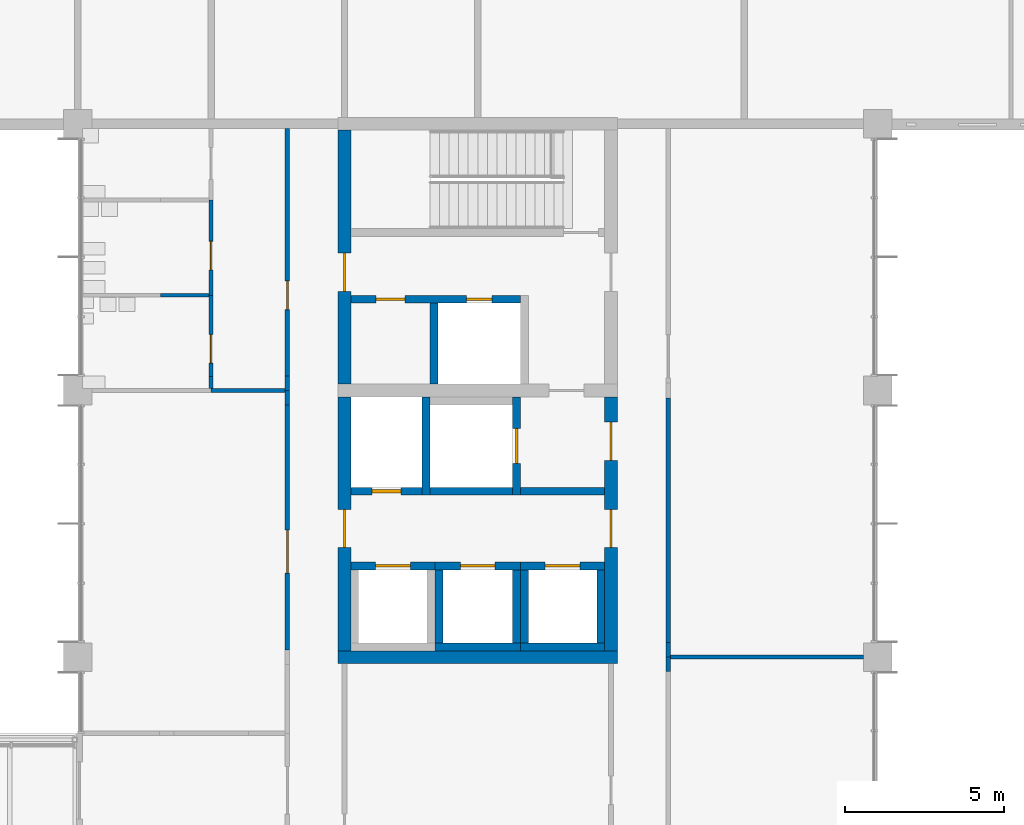
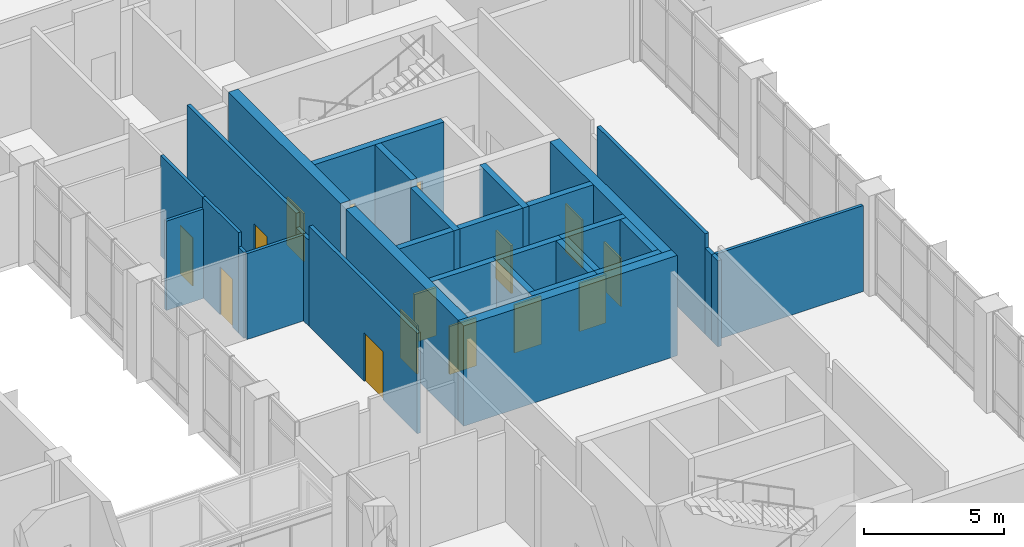
# One storey, part 42 of 70: 33 walls, 15 doors, 15 openings.
"""IFC4 building model written with IfcOpenShell, lengths in metres."""

from ifc_helpers import new_model, si_unit, direction, frame, frame_2d, origin, place, context, subcontext, project, spatial, rectangle, extrude, material, layer, layer_set, type_object, element, fill, save


model = new_model("IFC4")

# Units and contexts
model_context = context("Model", 3, precision=1e-05, world=origin(), true_north=direction((0.0, 1.0)))
body_context = subcontext(model_context, "Body", "Model", "MODEL_VIEW")
ifc_project = project(units=[si_unit("LENGTHUNIT", "METRE"), si_unit("AREAUNIT", "SQUARE_METRE"), si_unit("VOLUMEUNIT", "CUBIC_METRE"), si_unit("PLANEANGLEUNIT", "RADIAN"), si_unit("MASSUNIT", "GRAM", prefix="KILO")], contexts=[model_context])

# Site, building, storey
site_placement = place(None, origin())
site = spatial("IfcSite", under=ifc_project, at=site_placement, CompositionType="ELEMENT")
building_placement = place(site_placement, origin())
building = spatial("IfcBuilding", under=site, at=building_placement, Name="Hlaing Beacon Police Headquarters", CompositionType="ELEMENT")
storey_placement = place(building_placement, frame((0.0, 0.0, 5.39990234375)))
storey = spatial("IfcBuildingStorey", under=building, at=storey_placement, Name="L01", CompositionType="ELEMENT", Elevation=5.39990234375)

# Wall
ifc_material_1 = material(Name="Concrete C60/75", Category="concrete")
ifc_layer_1 = layer(ifc_material_1, 0.39990234375)
ifc_layer_set_1 = layer_set([ifc_layer_1], Name="Concrete C60/75")
wall_type_1 = type_object("IfcWallType", Name="Core shear wall 400", PredefinedType="SHEAR", material=ifc_layer_set_1)
wall_1_placement = place(storey_placement, frame((109.0, 50.39990234375, 0.0), z_axis=(0.0, 0.0, 1.0), x_axis=(1.0, 0.0, 0.0)))
element("IfcWall", 1, at=wall_1_placement, inside=storey, type_object=wall_type_1, Name="Core shear wall", PredefinedType="SHEAR", context=body_context, shape_type="SweptSolid", body=[
    extrude(rectangle(XDim=8.800048828125, YDim=0.39990234375, at=frame_2d((4.39990234375, 0.0))), origin(), (0.0, 0.0, 1.0), 4.3701171875),
])

# Wall, opening, door
wall_2_placement = place(storey_placement, frame((109.199951171875, 50.60009765625, 0.0), z_axis=(0.0, 0.0, 1.0), x_axis=(0.0, 1.0, 0.0)))
wall_2 = element("IfcWall", 2, at=wall_2_placement, inside=storey, type_object=wall_type_1, Name="Core shear wall", PredefinedType="SHEAR", context=body_context, shape_type="SweptSolid", body=[
    extrude(rectangle(XDim=8.0, YDim=0.39990234375, at=frame_2d((4.0, 0.0))), origin(), (0.0, 0.0, 1.0), 4.3701171875),
])
opening_1_placement = place(wall_2_placement, frame((3.25, 0.0, 0.0)))
opening_1 = element("IfcOpeningElement", 3, at=opening_1_placement, cuts=wall_2, Name="Opening L01-935", PredefinedType="OPENING", context=body_context, shape_type="SweptSolid", body=[
    extrude(rectangle(XDim=1.199951171875, YDim=2.10009765625, at=frame_2d((0.60009765625, 1.050048828125))), frame((0.0, 0.2099609375, 0.0), z_axis=(0.0, -1.0, 0.0), x_axis=(1.0, 0.0, 0.0)), (0.0, 0.0, 1.0), 0.419921875),
])
ifc_material_2 = material(Name="Steel fire door leaf", Category="steel")
ifc_layer_2 = layer(ifc_material_2, 0.070068359375)
ifc_layer_set_2 = layer_set([ifc_layer_2], Name="Steel fire door leaf")
door_type_1 = type_object("IfcDoorType", Name="Steel fire door FD60S 1200x2100", OperationType="SINGLE_SWING_LEFT", PredefinedType="DOOR", material=ifc_layer_set_2)
door_1_placement = place(opening_1_placement, frame((1.199951171875, 0.0, 0.0), z_axis=(0.0, 0.0, 1.0), x_axis=(-1.0, 0.0, 0.0)))
door_1 = element("IfcDoor", 4, at=door_1_placement, inside=storey, type_object=door_type_1, Name="Door Lift Lobby Entry", OperationType="SINGLE_SWING_LEFT", OverallHeight=2.10009765625, OverallWidth=1.199951171875, PredefinedType="DOOR", context=body_context, shape_type="SweptSolid", body=[
    extrude(rectangle(XDim=1.199951171875, YDim=2.10009765625, at=frame_2d((0.599853515625, 1.050048828125))), frame((0.0, 0.034912109375, 0.0), z_axis=(0.0, -1.0, 0.0), x_axis=(1.0, 0.0, 0.0)), (0.0, 0.0, 1.0), 0.070068359375),
])
fill(opening_1, door_1)

# Wall, openings, doors
wall_3_placement = place(storey_placement, frame((117.60009765625, 50.60009765625, 0.0), z_axis=(0.0, 0.0, 1.0), x_axis=(0.0, 1.0, 0.0)))
wall_3 = element("IfcWall", 5, at=wall_3_placement, inside=storey, type_object=wall_type_1, Name="Core shear wall", PredefinedType="SHEAR", context=body_context, shape_type="SweptSolid", body=[
    extrude(rectangle(XDim=8.0, YDim=0.39990234375, at=frame_2d((4.0, 0.0))), origin(), (0.0, 0.0, 1.0), 4.3701171875),
])
opening_2_placement = place(wall_3_placement, frame((3.25, 0.0, 0.0)))
opening_2 = element("IfcOpeningElement", 6, at=opening_2_placement, cuts=wall_3, Name="Opening L01-936", PredefinedType="OPENING", context=body_context, shape_type="SweptSolid", body=[
    extrude(rectangle(XDim=1.199951171875, YDim=2.10009765625, at=frame_2d((0.60009765625, 1.050048828125))), frame((0.0, 0.2099609375, 0.0), z_axis=(0.0, -1.0, 0.0), x_axis=(1.0, 0.0, 0.0)), (0.0, 0.0, 1.0), 0.419921875),
])
opening_3_placement = place(wall_3_placement, frame((6.0, 0.0, 0.0)))
opening_3 = element("IfcOpeningElement", 7, at=opening_3_placement, cuts=wall_3, Name="Opening L01-937", PredefinedType="OPENING", context=body_context, shape_type="SweptSolid", body=[
    extrude(rectangle(XDim=1.199951171875, YDim=2.10009765625, at=frame_2d((0.60009765625, 1.050048828125))), frame((0.0, 0.2099609375, 0.0), z_axis=(0.0, -1.0, 0.0), x_axis=(1.0, 0.0, 0.0)), (0.0, 0.0, 1.0), 0.419921875),
])
door_2_placement = place(opening_2_placement, origin())
door_2 = element("IfcDoor", 8, at=door_2_placement, inside=storey, type_object=door_type_1, Name="Door Lift Lobby Entry", OperationType="SINGLE_SWING_RIGHT", OverallHeight=2.10009765625, OverallWidth=1.199951171875, PredefinedType="DOOR", context=body_context, shape_type="SweptSolid", body=[
    extrude(rectangle(XDim=1.199951171875, YDim=2.10009765625, at=frame_2d((0.60009765625, 1.050048828125))), frame((0.0, 0.03515625, 0.0), z_axis=(0.0, -1.0, 0.0), x_axis=(1.0, 0.0, 0.0)), (0.0, 0.0, 1.0), 0.070068359375),
])
fill(opening_2, door_2)
door_3_placement = place(opening_3_placement, origin())
door_3 = element("IfcDoor", 9, at=door_3_placement, inside=storey, type_object=door_type_1, Name="Door Firefighting Lobby Entry", OperationType="SINGLE_SWING_LEFT", OverallHeight=2.10009765625, OverallWidth=1.199951171875, PredefinedType="DOOR", context=body_context, shape_type="SweptSolid", body=[
    extrude(rectangle(XDim=1.199951171875, YDim=2.10009765625, at=frame_2d((0.60009765625, 1.050048828125))), frame((0.0, 0.03515625, 0.0), z_axis=(0.0, -1.0, 0.0), x_axis=(1.0, 0.0, 0.0)), (0.0, 0.0, 1.0), 0.070068359375),
])
fill(opening_3, door_3)

# Wall, opening, door
wall_4_placement = place(storey_placement, frame((109.199951171875, 59.0, 0.0), z_axis=(0.0, 0.0, 1.0), x_axis=(0.0, 1.0, 0.0)))
wall_4 = element("IfcWall", 10, at=wall_4_placement, inside=storey, type_object=wall_type_1, Name="Core shear wall", PredefinedType="SHEAR", context=body_context, shape_type="SweptSolid", body=[
    extrude(rectangle(XDim=8.0, YDim=0.39990234375, at=frame_2d((4.0, 0.0))), origin(), (0.0, 0.0, 1.0), 4.3701171875),
])
opening_4_placement = place(wall_4_placement, frame((2.925048828125, 0.0, 0.0)))
opening_4 = element("IfcOpeningElement", 11, at=opening_4_placement, cuts=wall_4, Name="Opening L01-941", PredefinedType="OPENING", context=body_context, shape_type="SweptSolid", body=[
    extrude(rectangle(XDim=1.199951171875, YDim=2.10009765625, at=frame_2d((0.60009765625, 1.050048828125))), frame((0.0, 0.2099609375, 0.0), z_axis=(0.0, -1.0, 0.0), x_axis=(1.0, 0.0, 0.0)), (0.0, 0.0, 1.0), 0.419921875),
])
door_4_placement = place(opening_4_placement, frame((1.199951171875, 0.0, 0.0), z_axis=(0.0, 0.0, 1.0), x_axis=(-1.0, 0.0, 0.0)))
door_4 = element("IfcDoor", 12, at=door_4_placement, inside=storey, type_object=door_type_1, Name="Door Stair Lobby ST-M Entry", OperationType="SINGLE_SWING_LEFT", OverallHeight=2.10009765625, OverallWidth=1.199951171875, PredefinedType="DOOR", context=body_context, shape_type="SweptSolid", body=[
    extrude(rectangle(XDim=1.199951171875, YDim=2.10009765625, at=frame_2d((0.599853515625, 1.050048828125))), frame((0.0, 0.034912109375, 0.0), z_axis=(0.0, -1.0, 0.0), x_axis=(1.0, 0.0, 0.0)), (0.0, 0.0, 1.0), 0.070068359375),
])
fill(opening_4, door_4)

# Walls
ifc_material_3 = material(Name="Gypsum board partition")
ifc_layer_3 = layer(ifc_material_3, 0.14990234375)
ifc_layer_set_3 = layer_set([ifc_layer_3], Name="Gypsum board partition")
wall_type_2 = type_object("IfcWallType", Name="Corridor wall EI 30 150", PredefinedType="PARTITIONING", material=ifc_layer_set_3)
wall_5_placement = place(storey_placement, frame((119.39990234375, 49.93994140625, 0.0), z_axis=(0.0, 0.0, 1.0), x_axis=(0.0, 1.0, 0.0)))
element("IfcWall", 13, at=wall_5_placement, inside=storey, type_object=wall_type_2, Name="Corridor wall EI 30 150", PredefinedType="PARTITIONING", context=body_context, shape_type="SweptSolid", body=[
    extrude(rectangle(XDim=0.4599609375, YDim=0.14990234375, at=frame_2d((0.22998046875, 0.0))), origin(), (0.0, 0.0, 1.0), 3.74609375),
])
wall_6_placement = place(storey_placement, frame((119.39990234375, 50.39990234375, 0.0), z_axis=(0.0, 0.0, 1.0), x_axis=(0.0, 1.0, 0.0)))
element("IfcWall", 14, at=wall_6_placement, inside=storey, type_object=wall_type_2, Name="Corridor wall EI 30 150", PredefinedType="PARTITIONING", context=body_context, shape_type="SweptSolid", body=[
    extrude(rectangle(XDim=0.460205078125, YDim=0.14990234375, at=frame_2d((0.22998046875, 0.0))), origin(), (0.0, 0.0, 1.0), 3.74609375),
])
wall_7_placement = place(storey_placement, frame((119.39990234375, 50.860107421875, 0.0), z_axis=(0.0, 0.0, 1.0), x_axis=(0.0, 1.0, 0.0)))
element("IfcWall", 15, at=wall_7_placement, inside=storey, type_object=wall_type_2, Name="Corridor wall EI 30 150", PredefinedType="PARTITIONING", context=body_context, shape_type="SweptSolid", body=[
    extrude(rectangle(XDim=7.7099609375, YDim=0.14990234375, at=frame_2d((3.85498046875, 0.0))), origin(), (0.0, 0.0, 1.0), 4.3701171875),
])

# Wall, opening, door
wall_8_placement = place(storey_placement, frame((107.39990234375, 50.6298828125, 0.0), z_axis=(0.0, 0.0, 1.0), x_axis=(0.0, 1.0, 0.0)))
wall_8 = element("IfcWall", 16, at=wall_8_placement, inside=storey, type_object=wall_type_2, Name="Corridor wall EI 30 150", PredefinedType="PARTITIONING", context=body_context, shape_type="SweptSolid", body=[
    extrude(rectangle(XDim=7.710205078125, YDim=0.14990234375, at=frame_2d((3.85498046875, 0.0))), origin(), (0.0, 0.0, 1.0), 4.3701171875),
])
opening_5_placement = place(wall_8_placement, frame((2.419921875, 0.0, 0.0)))
opening_5 = element("IfcOpeningElement", 17, at=opening_5_placement, cuts=wall_8, Name="Opening L01-053", PredefinedType="OPENING", context=body_context, shape_type="SweptSolid", body=[
    extrude(rectangle(XDim=1.35009765625, YDim=2.10009765625, at=frame_2d((0.675048828125, 1.050048828125))), frame((0.0, 0.0849609375, 0.0), z_axis=(0.0, -1.0, 0.0), x_axis=(1.0, 0.0, 0.0)), (0.0, 0.0, 1.0), 0.169921875),
])
ifc_material_4 = material(Name="Hardwood door leaf", Category="wood")
ifc_layer_4 = layer(ifc_material_4, 0.050048828125)
ifc_layer_set_4 = layer_set([ifc_layer_4], Name="Hardwood door leaf")
door_type_2 = type_object("IfcDoorType", Name="Fire leaf-and-a-half door FD30S 1350x2100", OperationType="DOUBLE_DOOR_SINGLE_SWING", PredefinedType="DOOR", material=ifc_layer_set_4)
door_5_placement = place(opening_5_placement, origin())
door_5 = element("IfcDoor", 18, at=door_5_placement, inside=storey, type_object=door_type_2, Name="Door Patrol Operations Room Annex", OperationType="DOUBLE_DOOR_SINGLE_SWING", OverallHeight=2.10009765625, OverallWidth=1.35009765625, PredefinedType="DOOR", context=body_context, shape_type="SweptSolid", body=[
    extrude(rectangle(XDim=1.35009765625, YDim=2.10009765625, at=frame_2d((0.675048828125, 1.050048828125))), frame((0.0, 0.02490234375, 0.0), z_axis=(0.0, -1.0, 0.0), x_axis=(1.0, 0.0, 0.0)), (0.0, 0.0, 1.0), 0.050048828125),
])
fill(opening_5, door_5)

# Walls
for number, where, z_axis, x_axis, name in (
    (19, (107.39990234375, 58.340087890625, 0.0), (0.0, 0.0, 1.0), (0.0, 1.0, 0.0), "Corridor wall EI 30 150"),
    (20, (107.39990234375, 58.800048828125, 0.0), (0.0, 0.0, 1.0), (0.0, 1.0, 0.0), "Corridor wall EI 30 150"),
):
    element("IfcWall", number, at=place(storey_placement, frame(where, z_axis=z_axis, x_axis=x_axis)), inside=storey, type_object=wall_type_2, Name=name, PredefinedType="PARTITIONING", context=body_context, shape_type="SweptSolid", body=[
        extrude(rectangle(XDim=0.4599609375, YDim=0.14990234375, at=frame_2d((0.22998046875, 0.0))), origin(), (0.0, 0.0, 1.0), 3.74609375),
    ])

# Wall, opening, door
wall_9_placement = place(storey_placement, frame((107.39990234375, 59.260009765625, 0.0), z_axis=(0.0, 0.0, 1.0), x_axis=(0.0, 1.0, 0.0)))
wall_9 = element("IfcWall", 21, at=wall_9_placement, inside=storey, type_object=wall_type_2, Name="Corridor wall EI 30 150", PredefinedType="PARTITIONING", context=body_context, shape_type="SweptSolid", body=[
    extrude(rectangle(XDim=7.7900390625, YDim=0.14990234375, at=frame_2d((3.89501953125, 0.0))), origin(), (0.0, 0.0, 1.0), 4.3701171875),
])
opening_6_placement = place(wall_9_placement, frame((2.090087890625, 0.0, 0.0)))
opening_6 = element("IfcOpeningElement", 22, at=opening_6_placement, cuts=wall_9, Name="Opening L01-056", PredefinedType="OPENING", context=body_context, shape_type="SweptSolid", body=[
    extrude(rectangle(XDim=0.89990234375, YDim=2.10009765625, at=frame_2d((0.449951171875, 1.050048828125))), frame((0.0, 0.0849609375, 0.0), z_axis=(0.0, -1.0, 0.0), x_axis=(1.0, 0.0, 0.0)), (0.0, 0.0, 1.0), 0.169921875),
])
ifc_material_5 = material(Name="Hardwood door leaf", Category="wood")
ifc_layer_5 = layer(ifc_material_5, 0.050048828125)
ifc_layer_set_5 = layer_set([ifc_layer_5], Name="Hardwood door leaf")
door_type_3 = type_object("IfcDoorType", Name="Fire door FD30S 900x2100", OperationType="SINGLE_SWING_LEFT", PredefinedType="DOOR", material=ifc_layer_set_5)
door_6_placement = place(opening_6_placement, origin())
door_6 = element("IfcDoor", 23, at=door_6_placement, inside=storey, type_object=door_type_3, Name="Door WC Lobby", OperationType="SINGLE_SWING_RIGHT", OverallHeight=2.10009765625, OverallWidth=0.89990234375, PredefinedType="DOOR", context=body_context, shape_type="SweptSolid", body=[
    extrude(rectangle(XDim=0.89990234375, YDim=2.10009765625, at=frame_2d((0.449951171875, 1.050048828125))), frame((0.0, 0.02490234375, 0.0), z_axis=(0.0, -1.0, 0.0), x_axis=(1.0, 0.0, 0.0)), (0.0, 0.0, 1.0), 0.050048828125),
])
fill(opening_6, door_6)

# Walls
ifc_material_6 = material(Name="Gypsum board partition")
ifc_layer_6 = layer(ifc_material_6, 0.125)
ifc_layer_set_6 = layer_set([ifc_layer_6], Name="Gypsum board partition")
wall_type_3 = type_object("IfcWallType", Name="Partition 125", PredefinedType="PARTITIONING", material=ifc_layer_set_6)
wall_10_placement = place(storey_placement, frame((119.47509765625, 50.39990234375, 0.0), z_axis=(0.0, 0.0, 1.0), x_axis=(1.0, 0.0, 0.0)))
element("IfcWall", 24, at=wall_10_placement, inside=storey, type_object=wall_type_3, Name="Partition 125", PredefinedType="PARTITIONING", context=body_context, shape_type="SweptSolid", body=[
    extrude(rectangle(XDim=6.074951171875, YDim=0.125, at=frame_2d((3.03759765625, 0.0))), origin(), (0.0, 0.0, 1.0), 3.74609375),
])
wall_11_placement = place(storey_placement, frame((105.0, 58.800048828125, 0.0), z_axis=(0.0, 0.0, 1.0), x_axis=(1.0, 0.0, 0.0)))
element("IfcWall", 25, at=wall_11_placement, inside=storey, type_object=wall_type_3, Name="Partition 125", PredefinedType="PARTITIONING", context=body_context, shape_type="SweptSolid", body=[
    extrude(rectangle(XDim=2.324951171875, YDim=0.125, at=frame_2d((1.16259765625, 0.0))), origin(), (0.0, 0.0, 1.0), 3.74609375),
])

# Wall, opening, door
wall_12_placement = place(storey_placement, frame((105.0, 61.800048828125, 0.0), z_axis=(0.0, 0.0, 1.0), x_axis=(0.0, 1.0, 0.0)))
wall_12 = element("IfcWall", 26, at=wall_12_placement, inside=storey, type_object=wall_type_3, Name="Partition 125", PredefinedType="PARTITIONING", context=body_context, shape_type="SweptSolid", body=[
    extrude(rectangle(XDim=3.0, YDim=0.125, at=frame_2d((1.5, 0.0))), origin(), (0.0, 0.0, 1.0), 4.3701171875),
])
opening_7_placement = place(wall_12_placement, frame((0.800048828125, 0.0, 0.0)))
opening_7 = element("IfcOpeningElement", 27, at=opening_7_placement, cuts=wall_12, Name="Opening L01-055", PredefinedType="OPENING", context=body_context, shape_type="SweptSolid", body=[
    extrude(rectangle(XDim=0.89990234375, YDim=2.10009765625, at=frame_2d((0.449951171875, 1.050048828125))), frame((0.0, 0.072509765625, 0.0), z_axis=(0.0, -1.0, 0.0), x_axis=(1.0, 0.0, 0.0)), (0.0, 0.0, 1.0), 0.14501953125),
])
ifc_material_7 = material(Name="Hardwood door leaf", Category="wood")
ifc_layer_7 = layer(ifc_material_7, 0.0400390625)
ifc_layer_set_7 = layer_set([ifc_layer_7], Name="Hardwood door leaf")
door_type_4 = type_object("IfcDoorType", Name="Door 900x2100", OperationType="SINGLE_SWING_LEFT", PredefinedType="DOOR", material=ifc_layer_set_7)
door_7_placement = place(opening_7_placement, origin())
door_7 = element("IfcDoor", 28, at=door_7_placement, inside=storey, type_object=door_type_4, Name="Door Female WC", OperationType="SINGLE_SWING_RIGHT", OverallHeight=2.10009765625, OverallWidth=0.89990234375, PredefinedType="DOOR", context=body_context, shape_type="SweptSolid", body=[
    extrude(rectangle(XDim=0.89990234375, YDim=2.10009765625, at=frame_2d((0.449951171875, 1.050048828125))), frame((0.0, 0.02001953125, 0.0), z_axis=(0.0, -1.0, 0.0), x_axis=(1.0, 0.0, 0.0)), (0.0, 0.0, 1.0), 0.0400390625),
])
fill(opening_7, door_7)

# Walls
wall_13_placement = place(storey_placement, frame((103.406982421875, 61.800048828125, 0.0), z_axis=(0.0, 0.0, 1.0), x_axis=(1.0, 0.0, 0.0)))
element("IfcWall", 29, at=wall_13_placement, inside=storey, type_object=wall_type_3, Name="Partition 125", PredefinedType="PARTITIONING", context=body_context, shape_type="SweptSolid", body=[
    extrude(rectangle(XDim=1.531005859375, YDim=0.125, at=frame_2d((0.765625, 0.0))), origin(), (0.0, 0.0, 1.0), 3.89501953125),
])
wall_14_placement = place(storey_placement, frame((105.0, 58.862060546875, 0.0), z_axis=(0.0, 0.0, 1.0), x_axis=(0.0, 1.0, 0.0)))
element("IfcWall", 30, at=wall_14_placement, inside=storey, type_object=wall_type_3, Name="Partition 125", PredefinedType="PARTITIONING", context=body_context, shape_type="SweptSolid", body=[
    extrude(rectangle(XDim=0.385009765625, YDim=0.125, at=frame_2d((0.1923828125, 0.0))), origin(), (0.0, 0.0, 1.0), 3.74609375),
])

# Wall, opening, door
wall_15_placement = place(storey_placement, frame((105.0, 59.2470703125, 0.0), z_axis=(0.0, 0.0, 1.0), x_axis=(0.0, 1.0, 0.0)))
wall_15 = element("IfcWall", 31, at=wall_15_placement, inside=storey, type_object=wall_type_3, Name="Partition 125", PredefinedType="PARTITIONING", context=body_context, shape_type="SweptSolid", body=[
    extrude(rectangle(XDim=2.552978515625, YDim=0.125, at=frame_2d((1.2763671875, 0.0))), origin(), (0.0, 0.0, 1.0), 4.3701171875),
])
opening_8_placement = place(wall_15_placement, frame((0.4150390625, 0.0, 0.0)))
opening_8 = element("IfcOpeningElement", 32, at=opening_8_placement, cuts=wall_15, Name="Opening L01-057", PredefinedType="OPENING", context=body_context, shape_type="SweptSolid", body=[
    extrude(rectangle(XDim=0.89990234375, YDim=2.10009765625, at=frame_2d((0.449951171875, 1.050048828125))), frame((0.0, 0.072509765625, 0.0), z_axis=(0.0, -1.0, 0.0), x_axis=(1.0, 0.0, 0.0)), (0.0, 0.0, 1.0), 0.14501953125),
])
door_8_placement = place(opening_8_placement, origin())
door_8 = element("IfcDoor", 33, at=door_8_placement, inside=storey, type_object=door_type_4, Name="Door Male WC", OperationType="SINGLE_SWING_RIGHT", OverallHeight=2.10009765625, OverallWidth=0.89990234375, PredefinedType="DOOR", context=body_context, shape_type="SweptSolid", body=[
    extrude(rectangle(XDim=0.89990234375, YDim=2.10009765625, at=frame_2d((0.449951171875, 1.050048828125))), frame((0.0, 0.02001953125, 0.0), z_axis=(0.0, -1.0, 0.0), x_axis=(1.0, 0.0, 0.0)), (0.0, 0.0, 1.0), 0.0400390625),
])
fill(opening_8, door_8)

ifc_material_8 = material(Name="Concrete C40/50", Category="concrete")
ifc_layer_8 = layer(ifc_material_8, 0.25)
ifc_layer_set_8 = layer_set([ifc_layer_8], Name="Concrete C40/50")
wall_type_4 = type_object("IfcWallType", Name="Shaft wall 250", PredefinedType="SOLIDWALL", material=ifc_layer_set_8)
wall_16_placement = place(storey_placement, frame((109.39990234375, 55.625, 0.0), z_axis=(0.0, 0.0, 1.0), x_axis=(1.0, 0.0, 0.0)))
wall_16 = element("IfcWall", 34, at=wall_16_placement, inside=storey, type_object=wall_type_4, Name="Lobby wall", PredefinedType="SOLIDWALL", context=body_context, shape_type="SweptSolid", body=[
    extrude(rectangle(XDim=2.25, YDim=0.25, at=frame_2d((1.125, 0.0))), origin(), (0.0, 0.0, 1.0), 4.3701171875),
])
opening_9_placement = place(wall_16_placement, frame((0.675048828125, 0.0, 0.0)))
opening_9 = element("IfcOpeningElement", 35, at=opening_9_placement, cuts=wall_16, Name="Opening L01-939", PredefinedType="OPENING", context=body_context, shape_type="SweptSolid", body=[
    extrude(rectangle(XDim=0.89990234375, YDim=2.10009765625, at=frame_2d((0.449951171875, 1.050048828125))), frame((0.0, 0.135009765625, 0.0), z_axis=(0.0, -1.0, 0.0), x_axis=(1.0, 0.0, 0.0)), (0.0, 0.0, 1.0), 0.27001953125),
])
ifc_material_9 = material(Name="Steel fire door leaf", Category="steel")
ifc_layer_9 = layer(ifc_material_9, 0.10009765625)
ifc_layer_set_9 = layer_set([ifc_layer_9], Name="Steel fire door leaf")
door_type_5 = type_object("IfcDoorType", Name="Steel fire door FD120 900x2100", OperationType="SINGLE_SWING_LEFT", PredefinedType="DOOR", material=ifc_layer_set_9)
door_9_placement = place(opening_9_placement, origin())
door_9 = element("IfcDoor", 36, at=door_9_placement, inside=storey, type_object=door_type_5, Name="Door Electrical Riser Room", OperationType="SINGLE_SWING_LEFT", OverallHeight=2.10009765625, OverallWidth=0.89990234375, PredefinedType="DOOR", context=body_context, shape_type="SweptSolid", body=[
    extrude(rectangle(XDim=0.89990234375, YDim=2.10009765625, at=frame_2d((0.449951171875, 1.050048828125))), frame((0.0, 0.050048828125, 0.0), z_axis=(0.0, -1.0, 0.0), x_axis=(1.0, 0.0, 0.0)), (0.0, 0.0, 1.0), 0.10009765625),
])
fill(opening_9, door_9)

# Wall
wall_17_placement = place(storey_placement, frame((114.75, 55.625, 0.0), z_axis=(0.0, 0.0, 1.0), x_axis=(1.0, 0.0, 0.0)))
element("IfcWall", 37, at=wall_17_placement, inside=storey, type_object=wall_type_4, Name="Firefighting lobby wall", PredefinedType="SOLIDWALL", context=body_context, shape_type="SweptSolid", body=[
    extrude(rectangle(XDim=2.64990234375, YDim=0.25, at=frame_2d((1.324951171875, 0.0))), origin(), (0.0, 0.0, 1.0), 4.3701171875),
])

# Wall, openings, doors
wall_18_placement = place(storey_placement, frame((114.75, 61.675048828125, 0.0), z_axis=(0.0, 0.0, 1.0), x_axis=(-1.0, 0.0, 0.0)))
wall_18 = element("IfcWall", 38, at=wall_18_placement, inside=storey, type_object=wall_type_4, Name="Lobby wall", PredefinedType="SOLIDWALL", context=body_context, shape_type="SweptSolid", body=[
    extrude(rectangle(XDim=5.35009765625, YDim=0.25, at=frame_2d((2.675048828125, 0.0))), origin(), (0.0, 0.0, 1.0), 4.3701171875),
])
opening_10_placement = place(wall_18_placement, frame((3.64990234375, 0.0, 0.0)))
opening_10 = element("IfcOpeningElement", 39, at=opening_10_placement, cuts=wall_18, Name="Opening L01-940", PredefinedType="OPENING", context=body_context, shape_type="SweptSolid", body=[
    extrude(rectangle(XDim=0.89990234375, YDim=2.10009765625, at=frame_2d((0.449951171875, 1.050048828125))), frame((0.0, 0.135009765625, 0.0), z_axis=(0.0, -1.0, 0.0), x_axis=(1.0, 0.0, 0.0)), (0.0, 0.0, 1.0), 0.27001953125),
])
opening_11_placement = place(wall_18_placement, frame((0.89990234375, 0.0, 0.0)))
opening_11 = element("IfcOpeningElement", 40, at=opening_11_placement, cuts=wall_18, Name="Opening L01-943", PredefinedType="OPENING", context=body_context, shape_type="SweptSolid", body=[
    extrude(rectangle(XDim=0.800048828125, YDim=2.10009765625, at=frame_2d((0.39990234375, 1.050048828125))), frame((0.0, 0.135009765625, 0.0), z_axis=(0.0, -1.0, 0.0), x_axis=(1.0, 0.0, 0.0)), (0.0, 0.0, 1.0), 0.27001953125),
])
ifc_material_10 = material(Name="Steel fire door leaf", Category="steel")
ifc_layer_10 = layer(ifc_material_10, 0.070068359375)
ifc_layer_set_10 = layer_set([ifc_layer_10], Name="Steel fire door leaf")
door_type_6 = type_object("IfcDoorType", Name="Steel fire door FD60 800x2100", OperationType="SINGLE_SWING_LEFT", PredefinedType="DOOR", material=ifc_layer_set_10)
door_10_placement = place(opening_11_placement, origin())
door_10 = element("IfcDoor", 41, at=door_10_placement, inside=storey, type_object=door_type_6, Name="Door Services Riser", OperationType="SINGLE_SWING_RIGHT", OverallHeight=2.10009765625, OverallWidth=0.800048828125, PredefinedType="DOOR", context=body_context, shape_type="SweptSolid", body=[
    extrude(rectangle(XDim=0.800048828125, YDim=2.10009765625, at=frame_2d((0.39990234375, 1.050048828125))), frame((0.0, 0.03515625, 0.0), z_axis=(0.0, -1.0, 0.0), x_axis=(1.0, 0.0, 0.0)), (0.0, 0.0, 1.0), 0.070068359375),
])
fill(opening_11, door_10)
ifc_material_11 = material(Name="Steel fire door leaf", Category="steel")
ifc_layer_11 = layer(ifc_material_11, 0.070068359375)
ifc_layer_set_11 = layer_set([ifc_layer_11], Name="Steel fire door leaf")
door_type_7 = type_object("IfcDoorType", Name="Steel fire door FD60 900x2100", OperationType="SINGLE_SWING_LEFT", PredefinedType="DOOR", material=ifc_layer_set_11)
door_11_placement = place(opening_10_placement, origin())
door_11 = element("IfcDoor", 42, at=door_11_placement, inside=storey, type_object=door_type_7, Name="Door Cleaners' Store", OperationType="SINGLE_SWING_LEFT", OverallHeight=2.10009765625, OverallWidth=0.89990234375, PredefinedType="DOOR", context=body_context, shape_type="SweptSolid", body=[
    extrude(rectangle(XDim=0.89990234375, YDim=2.10009765625, at=frame_2d((0.449951171875, 1.050048828125))), frame((0.0, 0.03515625, 0.0), z_axis=(0.0, -1.0, 0.0), x_axis=(1.0, 0.0, 0.0)), (0.0, 0.0, 1.0), 0.070068359375),
])
fill(opening_10, door_11)

# Wall
wall_19_placement = place(storey_placement, frame((112.02490234375, 61.550048828125, 0.0), z_axis=(0.0, 0.0, 1.0), x_axis=(0.0, -1.0, 0.0)))
element("IfcWall", 43, at=wall_19_placement, inside=storey, type_object=wall_type_4, Name="Riser wall", PredefinedType="SOLIDWALL", context=body_context, shape_type="SweptSolid", body=[
    extrude(rectangle(XDim=2.550048828125, YDim=0.25, at=frame_2d((1.27490234375, 0.0))), origin(), (0.0, 0.0, 1.0), 4.3701171875),
])

# Wall, opening, door
wall_20_placement = place(storey_placement, frame((114.625, 55.5, 0.0), z_axis=(0.0, 0.0, 1.0), x_axis=(0.0, 1.0, 0.0)))
wall_20 = element("IfcWall", 44, at=wall_20_placement, inside=storey, type_object=wall_type_4, Name="Lift shaft wall FL1", PredefinedType="SOLIDWALL", context=body_context, shape_type="SweptSolid", body=[
    extrude(rectangle(XDim=3.10009765625, YDim=0.25, at=frame_2d((1.550048828125, 0.0))), origin(), (0.0, 0.0, 1.0), 4.3701171875),
])
opening_12_placement = place(wall_20_placement, frame((1.0, 0.0, 0.0)))
opening_12 = element("IfcOpeningElement", 45, at=opening_12_placement, cuts=wall_20, Name="Opening LD-FL1-L01", PredefinedType="OPENING", context=body_context, shape_type="SweptSolid", body=[
    extrude(rectangle(XDim=1.10009765625, YDim=2.10009765625, at=frame_2d((0.550048828125, 1.050048828125))), frame((0.0, 0.135009765625, 0.0), z_axis=(0.0, -1.0, 0.0), x_axis=(1.0, 0.0, 0.0)), (0.0, 0.0, 1.0), 0.27001953125),
])
ifc_material_12 = material(Name="Stainless steel lift landing door", Category="steel")
ifc_layer_12 = layer(ifc_material_12, 0.06005859375)
ifc_layer_set_12 = layer_set([ifc_layer_12], Name="Stainless steel lift landing door")
door_type_8 = type_object("IfcDoorType", Name="Lift landing door 1100x2100", OperationType="DOUBLE_DOOR_SLIDING", PredefinedType="DOOR", material=ifc_layer_set_12)
door_12_placement = place(opening_12_placement, origin())
door_12 = element("IfcDoor", 46, at=door_12_placement, inside=storey, type_object=door_type_8, Name="Landing door FL1 L01", OperationType="DOUBLE_DOOR_SLIDING", OverallHeight=2.10009765625, OverallWidth=1.10009765625, PredefinedType="DOOR", context=body_context, shape_type="SweptSolid", body=[
    extrude(rectangle(XDim=1.10009765625, YDim=2.10009765625, at=frame_2d((0.550048828125, 1.050048828125))), frame((0.0, 0.0400390625, 0.0), z_axis=(0.0, -1.0, 0.0), x_axis=(1.0, 0.0, 0.0)), (0.0, 0.0, 1.0), 0.080078125),
])
fill(opening_12, door_12)

# Walls
wall_21_placement = place(storey_placement, frame((111.89990234375, 55.625, 0.0), z_axis=(0.0, 0.0, 1.0), x_axis=(1.0, 0.0, 0.0)))
element("IfcWall", 47, at=wall_21_placement, inside=storey, type_object=wall_type_4, Name="Lift shaft wall FL1", PredefinedType="SOLIDWALL", context=body_context, shape_type="SweptSolid", body=[
    extrude(rectangle(XDim=2.60009765625, YDim=0.25, at=frame_2d((1.300048828125, 0.0))), origin(), (0.0, 0.0, 1.0), 4.3701171875),
])
wall_22_placement = place(storey_placement, frame((111.77490234375, 55.5, 0.0), z_axis=(0.0, 0.0, 1.0), x_axis=(0.0, 1.0, 0.0)))
element("IfcWall", 48, at=wall_22_placement, inside=storey, type_object=wall_type_4, Name="Lift shaft wall FL1", PredefinedType="SOLIDWALL", context=body_context, shape_type="SweptSolid", body=[
    extrude(rectangle(XDim=3.10009765625, YDim=0.25, at=frame_2d((1.550048828125, 0.0))), origin(), (0.0, 0.0, 1.0), 4.3701171875),
])

# Wall, opening, door
wall_23_placement = place(storey_placement, frame((109.39990234375, 53.27490234375, 0.0), z_axis=(0.0, 0.0, 1.0), x_axis=(1.0, 0.0, 0.0)))
wall_23 = element("IfcWall", 49, at=wall_23_placement, inside=storey, type_object=wall_type_4, Name="Lift shaft wall PL7", PredefinedType="SOLIDWALL", context=body_context, shape_type="SweptSolid", body=[
    extrude(rectangle(XDim=2.650146484375, YDim=0.25, at=frame_2d((1.3251953125, 0.0))), origin(), (0.0, 0.0, 1.0), 4.3701171875),
])
opening_13_placement = place(wall_23_placement, frame((0.77490234375, 0.0, 0.0)))
opening_13 = element("IfcOpeningElement", 50, at=opening_13_placement, cuts=wall_23, Name="Opening LD-PL7-L01", PredefinedType="OPENING", context=body_context, shape_type="SweptSolid", body=[
    extrude(rectangle(XDim=1.10009765625, YDim=2.10009765625, at=frame_2d((0.550048828125, 1.050048828125))), frame((0.0, 0.135009765625, 0.0), z_axis=(0.0, -1.0, 0.0), x_axis=(1.0, 0.0, 0.0)), (0.0, 0.0, 1.0), 0.27001953125),
])
door_13_placement = place(opening_13_placement, origin())
door_13 = element("IfcDoor", 51, at=door_13_placement, inside=storey, type_object=door_type_8, Name="Landing door PL7 L01", OperationType="DOUBLE_DOOR_SLIDING", OverallHeight=2.10009765625, OverallWidth=1.10009765625, PredefinedType="DOOR", context=body_context, shape_type="SweptSolid", body=[
    extrude(rectangle(XDim=1.10009765625, YDim=2.10009765625, at=frame_2d((0.550048828125, 1.050048828125))), frame((0.0, 0.0400390625, 0.0), z_axis=(0.0, -1.0, 0.0), x_axis=(1.0, 0.0, 0.0)), (0.0, 0.0, 1.0), 0.080078125),
])
fill(opening_13, door_13)

# Wall
wall_24_placement = place(storey_placement, frame((114.625, 50.85009765625, 0.0), z_axis=(0.0, 0.0, 1.0), x_axis=(0.0, 1.0, 0.0)))
element("IfcWall", 52, at=wall_24_placement, inside=storey, type_object=wall_type_4, Name="Lift shaft wall PL8", PredefinedType="SOLIDWALL", context=body_context, shape_type="SweptSolid", body=[
    extrude(rectangle(XDim=2.2998046875, YDim=0.25, at=frame_2d((1.14990234375, 0.0))), origin(), (0.0, 0.0, 1.0), 4.3701171875),
])

# Wall, opening, door
wall_25_placement = place(storey_placement, frame((112.050048828125, 53.27490234375, 0.0), z_axis=(0.0, 0.0, 1.0), x_axis=(1.0, 0.0, 0.0)))
wall_25 = element("IfcWall", 53, at=wall_25_placement, inside=storey, type_object=wall_type_4, Name="Lift shaft wall PL8", PredefinedType="SOLIDWALL", context=body_context, shape_type="SweptSolid", body=[
    extrude(rectangle(XDim=2.699951171875, YDim=0.25, at=frame_2d((1.35009765625, 0.0))), origin(), (0.0, 0.0, 1.0), 4.3701171875),
])
opening_14_placement = place(wall_25_placement, frame((0.800048828125, 0.0, 0.0)))
opening_14 = element("IfcOpeningElement", 54, at=opening_14_placement, cuts=wall_25, Name="Opening LD-PL8-L01", PredefinedType="OPENING", context=body_context, shape_type="SweptSolid", body=[
    extrude(rectangle(XDim=1.10009765625, YDim=2.10009765625, at=frame_2d((0.550048828125, 1.050048828125))), frame((0.0, 0.135009765625, 0.0), z_axis=(0.0, -1.0, 0.0), x_axis=(1.0, 0.0, 0.0)), (0.0, 0.0, 1.0), 0.27001953125),
])
door_14_placement = place(opening_14_placement, origin())
door_14 = element("IfcDoor", 55, at=door_14_placement, inside=storey, type_object=door_type_8, Name="Landing door PL8 L01", OperationType="DOUBLE_DOOR_SLIDING", OverallHeight=2.10009765625, OverallWidth=1.10009765625, PredefinedType="DOOR", context=body_context, shape_type="SweptSolid", body=[
    extrude(rectangle(XDim=1.10009765625, YDim=2.10009765625, at=frame_2d((0.550048828125, 1.050048828125))), frame((0.0, 0.0400390625, 0.0), z_axis=(0.0, -1.0, 0.0), x_axis=(1.0, 0.0, 0.0)), (0.0, 0.0, 1.0), 0.080078125),
])
fill(opening_14, door_14)

# Walls
wall_26_placement = place(storey_placement, frame((112.050048828125, 50.72509765625, 0.0), z_axis=(0.0, 0.0, 1.0), x_axis=(1.0, 0.0, 0.0)))
element("IfcWall", 56, at=wall_26_placement, inside=storey, type_object=wall_type_4, Name="Lift shaft wall PL8", PredefinedType="SOLIDWALL", context=body_context, shape_type="SweptSolid", body=[
    extrude(rectangle(XDim=2.699951171875, YDim=0.25, at=frame_2d((1.35009765625, 0.0))), origin(), (0.0, 0.0, 1.0), 4.3701171875),
])
for number, where, z_axis, x_axis, name in (
    (57, (112.175048828125, 50.85009765625, 0.0), (0.0, 0.0, 1.0), (0.0, 1.0, 0.0), "Lift shaft wall PL8"),
    (58, (117.27490234375, 50.85009765625, 0.0), (0.0, 0.0, 1.0), (0.0, 1.0, 0.0), "Lift shaft wall PL9"),
):
    element("IfcWall", number, at=place(storey_placement, frame(where, z_axis=z_axis, x_axis=x_axis)), inside=storey, type_object=wall_type_4, Name=name, PredefinedType="SOLIDWALL", context=body_context, shape_type="SweptSolid", body=[
        extrude(rectangle(XDim=2.2998046875, YDim=0.25, at=frame_2d((1.14990234375, 0.0))), origin(), (0.0, 0.0, 1.0), 4.3701171875),
    ])

# Wall, opening, door
wall_27_placement = place(storey_placement, frame((114.75, 53.27490234375, 0.0), z_axis=(0.0, 0.0, 1.0), x_axis=(1.0, 0.0, 0.0)))
wall_27 = element("IfcWall", 59, at=wall_27_placement, inside=storey, type_object=wall_type_4, Name="Lift shaft wall PL9", PredefinedType="SOLIDWALL", context=body_context, shape_type="SweptSolid", body=[
    extrude(rectangle(XDim=2.64990234375, YDim=0.25, at=frame_2d((1.324951171875, 0.0))), origin(), (0.0, 0.0, 1.0), 4.3701171875),
])
opening_15_placement = place(wall_27_placement, frame((0.77490234375, 0.0, 0.0)))
opening_15 = element("IfcOpeningElement", 60, at=opening_15_placement, cuts=wall_27, Name="Opening LD-PL9-L01", PredefinedType="OPENING", context=body_context, shape_type="SweptSolid", body=[
    extrude(rectangle(XDim=1.10009765625, YDim=2.10009765625, at=frame_2d((0.550048828125, 1.050048828125))), frame((0.0, 0.135009765625, 0.0), z_axis=(0.0, -1.0, 0.0), x_axis=(1.0, 0.0, 0.0)), (0.0, 0.0, 1.0), 0.27001953125),
])
door_15_placement = place(opening_15_placement, origin())
door_15 = element("IfcDoor", 61, at=door_15_placement, inside=storey, type_object=door_type_8, Name="Landing door PL9 L01", OperationType="DOUBLE_DOOR_SLIDING", OverallHeight=2.10009765625, OverallWidth=1.10009765625, PredefinedType="DOOR", context=body_context, shape_type="SweptSolid", body=[
    extrude(rectangle(XDim=1.10009765625, YDim=2.10009765625, at=frame_2d((0.550048828125, 1.050048828125))), frame((0.0, 0.0400390625, 0.0), z_axis=(0.0, -1.0, 0.0), x_axis=(1.0, 0.0, 0.0)), (0.0, 0.0, 1.0), 0.080078125),
])
fill(opening_15, door_15)

# Walls
wall_28_placement = place(storey_placement, frame((114.75, 50.72509765625, 0.0), z_axis=(0.0, 0.0, 1.0), x_axis=(1.0, 0.0, 0.0)))
element("IfcWall", 62, at=wall_28_placement, inside=storey, type_object=wall_type_4, Name="Lift shaft wall PL9", PredefinedType="SOLIDWALL", context=body_context, shape_type="SweptSolid", body=[
    extrude(rectangle(XDim=2.64990234375, YDim=0.25, at=frame_2d((1.324951171875, 0.0))), origin(), (0.0, 0.0, 1.0), 4.3701171875),
])
wall_29_placement = place(storey_placement, frame((114.875, 50.85009765625, 0.0), z_axis=(0.0, 0.0, 1.0), x_axis=(0.0, 1.0, 0.0)))
element("IfcWall", 63, at=wall_29_placement, inside=storey, type_object=wall_type_4, Name="Lift shaft wall PL9", PredefinedType="SOLIDWALL", context=body_context, shape_type="SweptSolid", body=[
    extrude(rectangle(XDim=2.2998046875, YDim=0.25, at=frame_2d((1.14990234375, 0.0))), origin(), (0.0, 0.0, 1.0), 4.3701171875),
])

save(model, "model.ifc")
